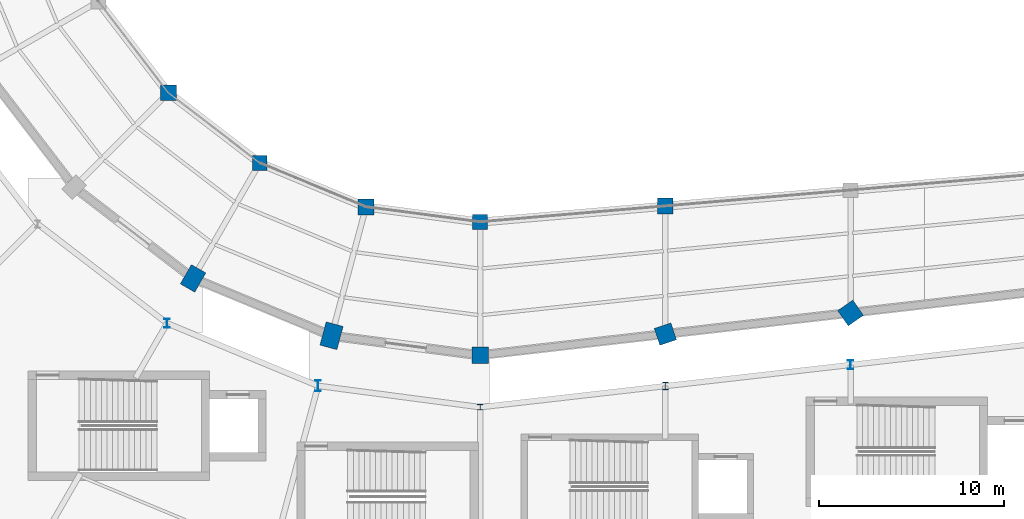
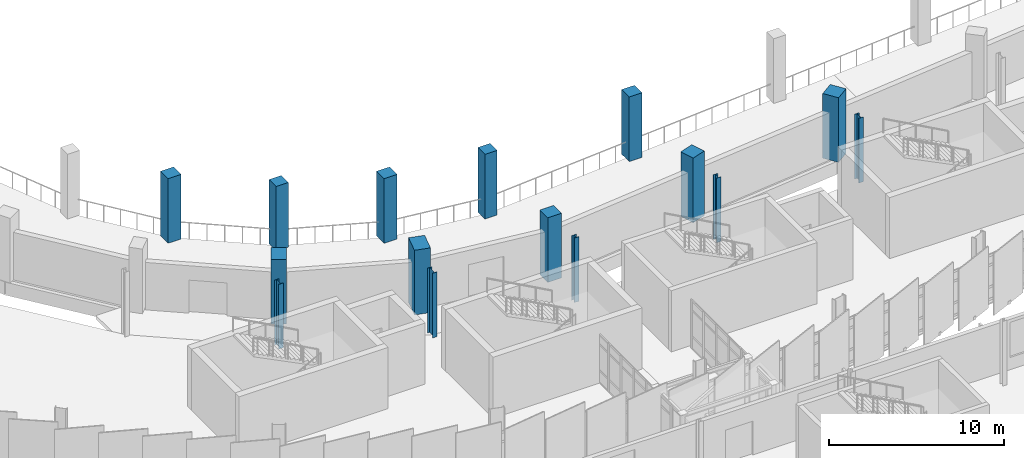
# One storey, part 8 of 125: 15 columns.
"""IFC4 building model written with IfcOpenShell, lengths in metres."""

from ifc_helpers import new_model, si_unit, direction, frame, origin, origin_2d, place, context, subcontext, project, spatial, rectangle, i_section, extrude, material, material_profile, profile_set, type_object, element, save


model = new_model("IFC4")

# Units and contexts
model_context = context("Model", 3, precision=1e-05, world=origin(), true_north=direction((0.0, 1.0)))
body_context = subcontext(model_context, "Body", "Model", "MODEL_VIEW")
ifc_project = project(units=[si_unit("LENGTHUNIT", "METRE"), si_unit("AREAUNIT", "SQUARE_METRE"), si_unit("VOLUMEUNIT", "CUBIC_METRE"), si_unit("PLANEANGLEUNIT", "RADIAN"), si_unit("MASSUNIT", "GRAM", prefix="KILO")], contexts=[model_context])

# Site, building, storey
site_placement = place(None, origin())
site = spatial("IfcSite", under=ifc_project, at=site_placement, CompositionType="ELEMENT")
building_placement = place(site_placement, origin())
building = spatial("IfcBuilding", under=site, at=building_placement, Name="Sohan Crest Arena", CompositionType="ELEMENT")
storey_placement = place(building_placement, frame((0.0, 0.0, 9.0)))
storey = spatial("IfcBuildingStorey", under=building, at=storey_placement, Name="L02", CompositionType="ELEMENT", Elevation=9.0)

# Columns
ifc_material_1 = material(Name="Concrete C40/50", Category="concrete")
ifc_material_profile_1 = material_profile(ifc_material_1, rectangle(XDim=0.800048828125, YDim=0.800048828125, at=origin_2d()), Name="RC 800x800")
ifc_profile_set_1 = profile_set([ifc_material_profile_1], Name="Concrete C40/50")
column_type_1 = type_object("IfcColumnType", Name="STR-COL-C05", PredefinedType="COLUMN", material=ifc_profile_set_1)
for number, where, z_axis, x_axis, name in (
    (1, (86.10009765625, 57.388916015625, 0.0), (0.0, 0.0, 1.0), (1.0, 0.0, 0.0), "Structural column COL-V1M-11-L02"),
    (2, (98.0, 54.199951171875, 0.0), (0.0, 0.0, 1.0), (1.0, 0.0, 0.0), "Structural column COL-V1M-13-L02"),
):
    element("IfcColumn", number, at=place(storey_placement, frame(where, z_axis=z_axis, x_axis=x_axis)), inside=storey, type_object=column_type_1, Name=name, PredefinedType="COLUMN", context=body_context, shape_type="SweptSolid", body=[
        extrude(rectangle(XDim=0.800048828125, YDim=0.800048828125, at=origin_2d()), origin(), (0.0, 0.0, 1.0), 4.5),
    ])
ifc_material_profile_2 = material_profile(ifc_material_1, rectangle(XDim=0.85009765625, YDim=0.85009765625, at=origin_2d()), Name="RC 850x850")
ifc_profile_set_2 = profile_set([ifc_material_profile_2], Name="Concrete C40/50")
column_type_2 = type_object("IfcColumnType", Name="STR-COL-C06", PredefinedType="COLUMN", material=ifc_profile_set_2)
for number, where, z_axis, x_axis, name in (
    (3, (81.1708984375, 61.1708984375, 0.0), (0.0, 0.0, 1.0), (1.0, 0.0, 0.0), "Structural column COL-V1M-10-L02"),
    (4, (91.840087890625, 55.010986328125, 0.0), (0.0, 0.0, 1.0), (1.0, 0.0, 0.0), "Structural column COL-V1M-12-L02"),
    (5, (108.0, 55.056884765625, 0.0), (0.0, 0.0, 1.0), (1.0, 0.0, 0.0), "Structural column COL-V1M-14-L02"),
):
    element("IfcColumn", number, at=place(storey_placement, frame(where, z_axis=z_axis, x_axis=x_axis)), inside=storey, type_object=column_type_2, Name=name, PredefinedType="COLUMN", context=body_context, shape_type="SweptSolid", body=[
        extrude(rectangle(XDim=0.85009765625, YDim=0.85009765625, at=origin_2d()), origin(), (0.0, 0.0, 1.0), 4.5),
    ])
ifc_material_profile_3 = material_profile(ifc_material_1, rectangle(XDim=0.89990234375, YDim=0.89990234375, at=origin_2d()), Name="RC 900x900")
ifc_profile_set_3 = profile_set([ifc_material_profile_3], Name="Concrete C40/50")
column_type_3 = type_object("IfcColumnType", Name="STR-COL-C07", PredefinedType="COLUMN", material=ifc_profile_set_3)
column_1_placement = place(storey_placement, frame((98.0, 47.0, 0.0), z_axis=(0.0, 0.0, 1.0), x_axis=(0.0, 1.0, 0.0)))
element("IfcColumn", 6, at=column_1_placement, inside=storey, type_object=column_type_3, Name="Structural column COL-V1R-13-L02", PredefinedType="COLUMN", context=body_context, shape_type="SweptSolid", body=[
    extrude(rectangle(XDim=0.89990234375, YDim=0.89990234375, at=origin_2d()), origin(), (0.0, 0.0, 1.0), 4.5),
])
ifc_material_profile_4 = material_profile(ifc_material_1, rectangle(XDim=0.949951171875, YDim=0.949951171875, at=origin_2d()), Name="RC 950x950")
ifc_profile_set_4 = profile_set([ifc_material_profile_4], Name="Concrete C40/50")
column_type_4 = type_object("IfcColumnType", Name="STR-COL-C08", PredefinedType="COLUMN", material=ifc_profile_set_4)
column_2_placement = place(storey_placement, frame((108.0, 48.14306640625, 0.0), z_axis=(0.0, 0.0, 1.0), x_axis=(-0.317304656405, 0.948323655206, 0.0)))
element("IfcColumn", 7, at=column_2_placement, inside=storey, type_object=column_type_4, Name="Structural column COL-V1R-14-L02", PredefinedType="COLUMN", context=body_context, shape_type="SweptSolid", body=[
    extrude(rectangle(XDim=0.949951171875, YDim=0.949951171875, at=origin_2d()), origin(), (0.0, 0.0, 1.0), 4.5),
])
ifc_material_profile_5 = material_profile(ifc_material_1, rectangle(XDim=1.0, YDim=1.0, at=origin_2d()), Name="RC 1000x1000")
ifc_profile_set_5 = profile_set([ifc_material_profile_5], Name="Concrete C40/50")
column_type_5 = type_object("IfcColumnType", Name="STR-COL-C09", PredefinedType="COLUMN", material=ifc_profile_set_5)
column_3_placement = place(storey_placement, frame((118.0, 49.285888671875, 0.0), z_axis=(0.0, 0.0, 1.0), x_axis=(-0.572145873446, 0.820151875874, 0.0)))
element("IfcColumn", 8, at=column_3_placement, inside=storey, type_object=column_type_5, Name="Structural column COL-V1R-15-L02", PredefinedType="COLUMN", context=body_context, shape_type="SweptSolid", body=[
    extrude(rectangle(XDim=1.0, YDim=1.0, at=origin_2d()), origin(), (0.0, 0.0, 1.0), 4.5),
])
ifc_material_profile_6 = material_profile(ifc_material_1, rectangle(XDim=1.199951171875, YDim=0.89990234375, at=origin_2d()), Name="RC 1200x900")
ifc_profile_set_6 = profile_set([ifc_material_profile_6], Name="Concrete C40/50")
column_type_6 = type_object("IfcColumnType", Name="STR-COL-C11", PredefinedType="COLUMN", material=ifc_profile_set_6)
column_4_placement = place(storey_placement, frame((82.5, 51.153076171875, 0.0), z_axis=(0.0, 0.0, 1.0), x_axis=(0.5, 0.866025403784, 0.0)))
element("IfcColumn", 9, at=column_4_placement, inside=storey, type_object=column_type_6, Name="Structural column COL-V1R-11-L02", PredefinedType="COLUMN", context=body_context, shape_type="SweptSolid", body=[
    extrude(rectangle(XDim=1.199951171875, YDim=0.89990234375, at=origin_2d()), origin(), (0.0, 0.0, 1.0), 4.5),
])
ifc_material_profile_7 = material_profile(ifc_material_1, rectangle(XDim=1.300048828125, YDim=0.949951171875, at=origin_2d()), Name="RC 1300x950")
ifc_profile_set_7 = profile_set([ifc_material_profile_7], Name="Concrete C40/50")
column_type_7 = type_object("IfcColumnType", Name="STR-COL-C12", PredefinedType="COLUMN", material=ifc_profile_set_7)
column_5_placement = place(storey_placement, frame((89.97705078125, 48.055908203125, 0.0), z_axis=(0.0, 0.0, 1.0), x_axis=(0.258819045103, 0.965925826289, 0.0)))
element("IfcColumn", 10, at=column_5_placement, inside=storey, type_object=column_type_7, Name="Structural column COL-V1R-12-L02", PredefinedType="COLUMN", context=body_context, shape_type="SweptSolid", body=[
    extrude(rectangle(XDim=1.300048828125, YDim=0.949951171875, at=origin_2d()), origin(), (0.0, 0.0, 1.0), 4.5),
])
ifc_material_2 = material(Name="Steel S355", Category="steel")
ifc_material_profile_8 = material_profile(ifc_material_2, i_section(OverallWidth=0.300048828125, OverallDepth=0.300048828125, WebThickness=0.010986328125, FlangeThickness=0.01904296875, at=origin_2d()), Name="HEB 300")
ifc_profile_set_8 = profile_set([ifc_material_profile_8], Name="Steel S355")
column_type_8 = type_object("IfcColumnType", Name="STR-COL-C17", PredefinedType="COLUMN", material=ifc_profile_set_8)
column_6_placement = place(storey_placement, frame((98.0, 44.199951171875, 0.0), z_axis=(0.0, 0.0, 1.0), x_axis=(1.0, 0.0, 0.0)))
element("IfcColumn", 11, at=column_6_placement, inside=storey, type_object=column_type_8, Name="Structural column COL-V2I-13-L02", PredefinedType="COLUMN", context=body_context, shape_type="SweptSolid", body=[
    extrude(i_section(OverallWidth=0.300048828125, OverallDepth=0.300048828125, WebThickness=0.010986328125, FlangeThickness=0.01904296875, at=origin_2d()), origin(), (0.0, 0.0, 1.0), 4.5),
])
ifc_material_profile_9 = material_profile(ifc_material_2, i_section(OverallWidth=0.300048828125, OverallDepth=0.39990234375, WebThickness=0.013427734375, FlangeThickness=0.02392578125, at=origin_2d()), Name="HEB 400")
ifc_profile_set_9 = profile_set([ifc_material_profile_9], Name="Steel S355")
column_type_9 = type_object("IfcColumnType", Name="STR-COL-C18", PredefinedType="COLUMN", material=ifc_profile_set_9)
column_7_placement = place(storey_placement, frame((108.0, 45.343017578125, 0.0), z_axis=(0.0, 0.0, 1.0), x_axis=(1.0, 0.0, 0.0)))
element("IfcColumn", 12, at=column_7_placement, inside=storey, type_object=column_type_9, Name="Structural column COL-V2I-14-L02", PredefinedType="COLUMN", context=body_context, shape_type="SweptSolid", body=[
    extrude(i_section(OverallWidth=0.300048828125, OverallDepth=0.39990234375, WebThickness=0.013427734375, FlangeThickness=0.02392578125, at=origin_2d()), origin(), (0.0, 0.0, 1.0), 4.5),
])
ifc_material_profile_10 = material_profile(ifc_material_2, i_section(OverallWidth=0.300048828125, OverallDepth=0.5, WebThickness=0.014404296875, FlangeThickness=0.028076171875, at=origin_2d()), Name="HEB 500")
ifc_profile_set_10 = profile_set([ifc_material_profile_10], Name="Steel S355")
column_type_10 = type_object("IfcColumnType", Name="STR-COL-C19", PredefinedType="COLUMN", material=ifc_profile_set_10)
for number, where, z_axis, x_axis, name in (
    (13, (81.10009765625, 48.72802734375, 0.0), (0.0, 0.0, 1.0), (1.0, 0.0, 0.0), "Structural column COL-V2I-11-L02"),
    (14, (118.0, 46.486083984375, 0.0), (0.0, 0.0, 1.0), (1.0, 0.0, 0.0), "Structural column COL-V2I-15-L02"),
):
    element("IfcColumn", number, at=place(storey_placement, frame(where, z_axis=z_axis, x_axis=x_axis)), inside=storey, type_object=column_type_10, Name=name, PredefinedType="COLUMN", context=body_context, shape_type="SweptSolid", body=[
        extrude(i_section(OverallWidth=0.300048828125, OverallDepth=0.5, WebThickness=0.014404296875, FlangeThickness=0.028076171875, at=origin_2d()), origin(), (0.0, 0.0, 1.0), 4.5),
    ])
ifc_material_profile_11 = material_profile(ifc_material_2, i_section(OverallWidth=0.300048828125, OverallDepth=0.60009765625, WebThickness=0.015380859375, FlangeThickness=0.030029296875, at=origin_2d()), Name="HEB 600")
ifc_profile_set_11 = profile_set([ifc_material_profile_11], Name="Steel S355")
column_type_11 = type_object("IfcColumnType", Name="STR-COL-C20", PredefinedType="COLUMN", material=ifc_profile_set_11)
column_8_placement = place(storey_placement, frame((89.251953125, 45.35205078125, 0.0), z_axis=(0.0, 0.0, 1.0), x_axis=(1.0, 0.0, 0.0)))
element("IfcColumn", 15, at=column_8_placement, inside=storey, type_object=column_type_11, Name="Structural column COL-V2I-12-L02", PredefinedType="COLUMN", context=body_context, shape_type="SweptSolid", body=[
    extrude(i_section(OverallWidth=0.300048828125, OverallDepth=0.60009765625, WebThickness=0.015380859375, FlangeThickness=0.030029296875, at=origin_2d()), origin(), (0.0, 0.0, 1.0), 4.5),
])

save(model, "model.ifc")
